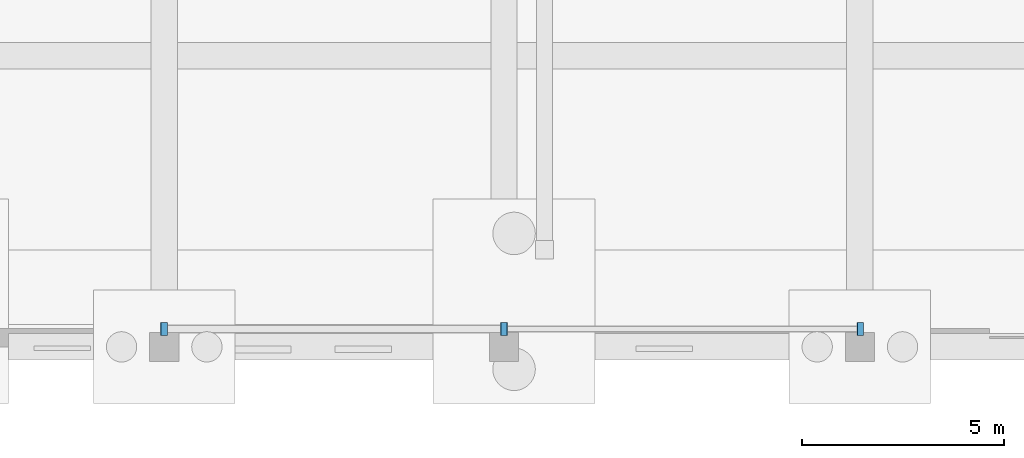
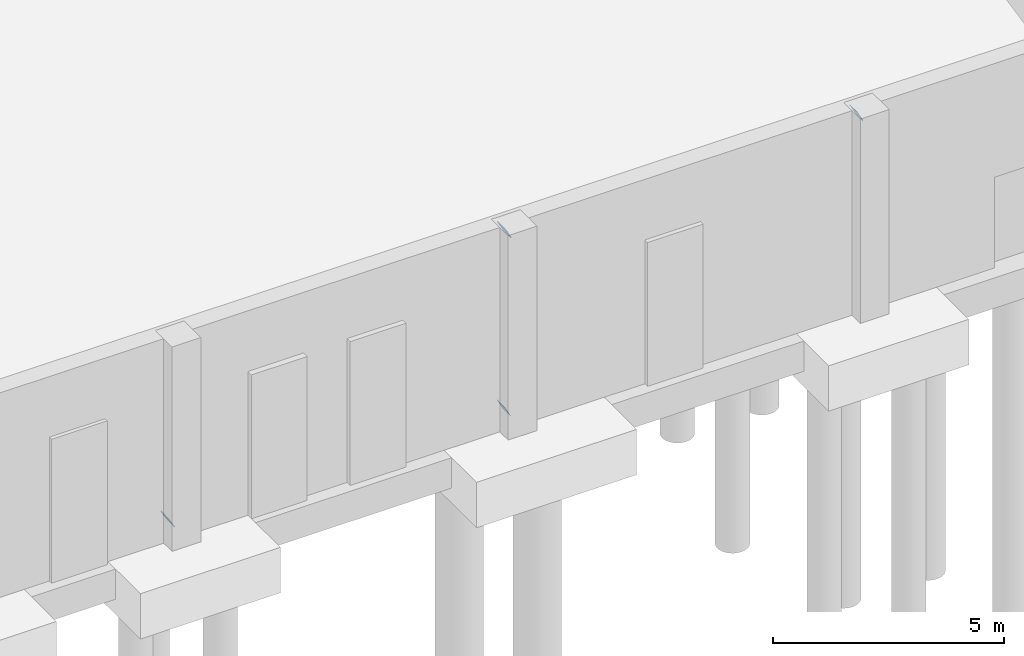
# One storey, part 64 of 91: 4 plates.
"""IFC4 building model written with IfcOpenShell, lengths in metres."""

from ifc_helpers import new_model, si_unit, direction, frame, origin, origin_2d, place, context, subcontext, project, spatial, rectangle, extrude, material, layer, layer_set, type_object, element, save


model = new_model("IFC4")

# Units and contexts
model_context = context("Model", 3, precision=1e-05, world=origin(), true_north=direction((0.0, 1.0)))
body_context = subcontext(model_context, "Body", "Model", "MODEL_VIEW")
ifc_project = project(units=[si_unit("LENGTHUNIT", "METRE"), si_unit("AREAUNIT", "SQUARE_METRE"), si_unit("VOLUMEUNIT", "CUBIC_METRE"), si_unit("PLANEANGLEUNIT", "RADIAN"), si_unit("MASSUNIT", "GRAM", prefix="KILO")], contexts=[model_context])

# Site, building, storey
site_placement = place(None, origin())
site = spatial("IfcSite", under=ifc_project, at=site_placement, CompositionType="ELEMENT")
building_placement = place(site_placement, origin())
building = spatial("IfcBuilding", under=site, at=building_placement, Name="Bramveld Media Centre", CompositionType="ELEMENT")
storey_placement = place(building_placement, origin())
storey = spatial("IfcBuildingStorey", under=building, at=storey_placement, Name="L00", CompositionType="ELEMENT", Elevation=0.0)

# Plates
ifc_material = material(Name="Steel S355J2", Category="steel")
ifc_layer = layer(ifc_material, 0.013916015625)
ifc_layer_set = layer_set([ifc_layer], Name="Steel S355J2")
plate_type = type_object("IfcPlateType", Name="PLT-CAP-14", PredefinedType="USERDEFINED", material=ifc_layer_set)
for number, where, z_axis, x_axis, name in (
    (1, (160.0, 0.43994140625, 0.25), (-0.872683117224, 0.0, -0.488286982125), (0.0, -1.0, 0.0), "Hollow section end cap plate CAP-BRC-V1-S4-0"),
    (2, (168.39990234375, 0.43994140625, 4.949951171875), (0.872683117224, 0.0, 0.488286982125), (0.0, 1.0, 0.0), "Hollow section end cap plate CAP-BRC-V1-S4-1"),
    (3, (168.39990234375, 0.43994140625, 0.249755859375), (-0.882075318152, 0.0, -0.471108409081), (0.0, -1.0, 0.0), "Hollow section end cap plate CAP-BRC-V1-S5-0"),
    (4, (177.2001953125, 0.43994140625, 4.9501953125), (0.882075318152, 0.0, 0.471108409081), (0.0, 1.0, 0.0), "Hollow section end cap plate CAP-BRC-V1-S5-1"),
):
    element("IfcPlate", number, at=place(storey_placement, frame(where, z_axis=z_axis, x_axis=x_axis)), inside=storey, type_object=plate_type, Name=name, ObjectType="CAP PLATE", PredefinedType="USERDEFINED", context=body_context, shape_type="SweptSolid", body=[
        extrude(rectangle(XDim=0.320068359375, YDim=0.320068359375, at=origin_2d()), origin(), (0.0, 0.0, 1.0), 0.013916015625),
    ])

save(model, "model.ifc")
